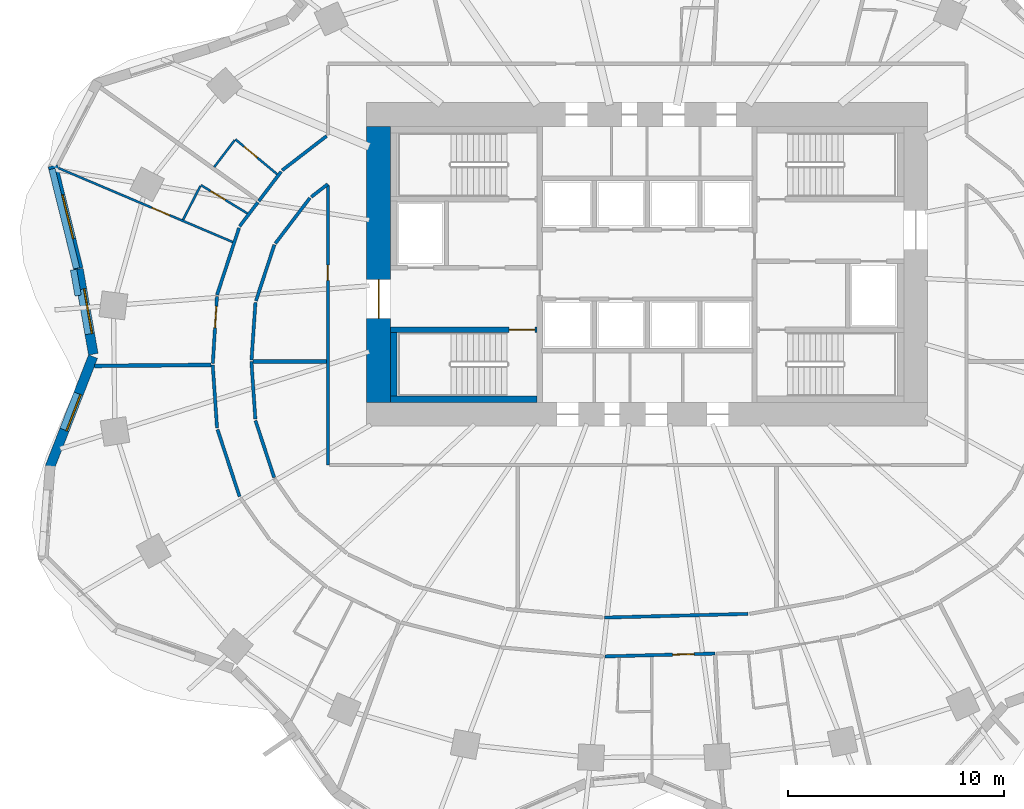
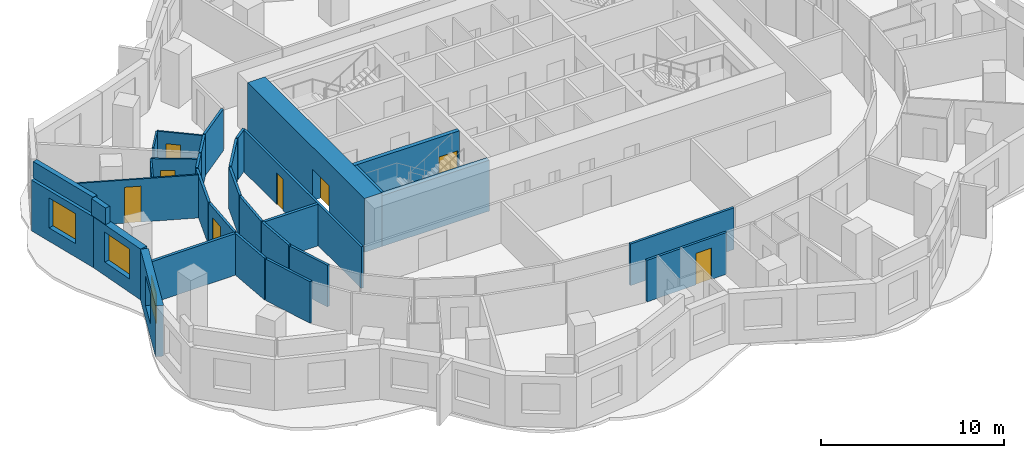
# One storey, part 4 of 10: 32 walls, 8 doors, 3 windows, 11 openings.
"""IFC4 building model written with IfcOpenShell, lengths in metres."""

from ifc_helpers import new_model, si_unit, direction, frame, frame_2d, origin, place, context, subcontext, project, spatial, rectangle, extrude, material, layer, layer_set, type_object, element, fill, save


model = new_model("IFC4")

# Units and contexts
model_context = context("Model", 3, precision=1e-05, world=origin(), true_north=direction((0.0, 1.0)))
body_context = subcontext(model_context, "Body", "Model", "MODEL_VIEW")
ifc_project = project(units=[si_unit("LENGTHUNIT", "METRE"), si_unit("AREAUNIT", "SQUARE_METRE"), si_unit("VOLUMEUNIT", "CUBIC_METRE"), si_unit("PLANEANGLEUNIT", "RADIAN"), si_unit("MASSUNIT", "GRAM", prefix="KILO")], contexts=[model_context])

# Site, building, storey
site_placement = place(None, origin())
site = spatial("IfcSite", under=ifc_project, at=site_placement, CompositionType="ELEMENT")
building_placement = place(site_placement, origin())
building = spatial("IfcBuilding", under=site, at=building_placement, Name="Rubra Terraces Tower", CompositionType="ELEMENT")
storey_placement = place(building_placement, frame((0.0, 0.0, 110.39990234375)))
storey = spatial("IfcBuildingStorey", under=building, at=storey_placement, Name="L26", CompositionType="ELEMENT", Elevation=110.39990234375)

# Walls
ifc_material_1 = material(Name="Twin plasterboard on staggered steel stud, acoustic mineral wool", Category="steel")
ifc_layer_1 = layer(ifc_material_1, 0.175048828125)
ifc_layer_set_1 = layer_set([ifc_layer_1], Name="Twin plasterboard on staggered steel stud, acoustic mineral wool")
wall_type_1 = type_object("IfcWallType", Name="ACOUSTIC PARTY WALL 175", PredefinedType="PARTITIONING", material=ifc_layer_set_1)
wall_1_placement = place(storey_placement, frame((-25.610107421875, -0.206298828125, 0.0), z_axis=(0.0, 0.0, 1.0), x_axis=(0.999964607339, 0.008413326863, 0.0)))
element("IfcWall", 1, at=wall_1_placement, inside=storey, type_object=wall_type_1, Name="PARTITION", PredefinedType="PARTITIONING", context=body_context, shape_type="SweptSolid", body=[
    extrude(rectangle(XDim=5.3974609375, YDim=0.175048828125, at=frame_2d((2.69873046875, 0.0))), origin(), (0.0, 0.0, 1.0), 2.7841796875),
])
wall_2_placement = place(storey_placement, frame((-18.269775390625, 0.0, 0.0), z_axis=(0.0, 0.0, 1.0), x_axis=(1.0, 0.0, 0.0)))
element("IfcWall", 2, at=wall_2_placement, inside=storey, type_object=wall_type_1, Name="PARTITION", PredefinedType="PARTITIONING", context=body_context, shape_type="SweptSolid", body=[
    extrude(rectangle(XDim=3.394775390625, YDim=0.175048828125, at=frame_2d((1.697265625, 0.0))), origin(), (0.0, 0.0, 1.0), 2.7841796875),
])

# Wall, opening, window
ifc_material_2 = material(Name="Brick masonry red-brown", Category="masonry")
ifc_layer_2 = layer(ifc_material_2, 0.449951171875)
ifc_layer_set_2 = layer_set([ifc_layer_2], Name="Brick masonry red-brown")
wall_type_2 = type_object("IfcWallType", Name="Brick facade wall 450", PredefinedType="SOLIDWALL", material=ifc_layer_set_2)
wall_3_placement = place(storey_placement, frame((-27.552001953125, 9.07177734375, 0.0), z_axis=(0.0, 0.0, 1.0), x_axis=(0.240629941406, -0.970616933347, 0.0)))
wall_3 = element("IfcWall", 3, at=wall_3_placement, inside=storey, type_object=wall_type_2, Name="Facade wall L26 bay 19", PredefinedType="SOLIDWALL", context=body_context, shape_type="SweptSolid", body=[
    extrude(rectangle(XDim=4.91455078125, YDim=0.449951171875, at=frame_2d((2.457275390625, 0.0))), origin(), (0.0, 0.0, 1.0), 3.400146484375),
])
opening_1_placement = place(wall_3_placement, frame((1.407470703125, 0.0, 0.89990234375)))
opening_1 = element("IfcOpeningElement", 4, at=opening_1_placement, cuts=wall_3, Name="Opening W1", PredefinedType="OPENING", context=body_context, shape_type="SweptSolid", body=[
    extrude(rectangle(XDim=2.10009765625, YDim=2.0, at=frame_2d((1.050048828125, 1.0))), frame((0.0, 0.23486328125, 0.0), z_axis=(0.0, -1.0, 0.0), x_axis=(1.0, 0.0, 0.0)), (0.0, 0.0, 1.0), 0.469970703125),
])
ifc_material_3 = material(Name="Clear glass in aluminium frame", Category="aluminium")
window_type_1 = type_object("IfcWindowType", Name="Fixed deep-set window 2100 x 2000", PartitioningType="SINGLE_PANEL", PredefinedType="WINDOW", material=ifc_material_3)
window_1_placement = place(opening_1_placement, origin())
window_1 = element("IfcWindow", 5, at=window_1_placement, inside=storey, type_object=window_type_1, Name="Window L26 bay 19", OverallHeight=2.0, OverallWidth=2.10009765625, PartitioningType="SINGLE_PANEL", PredefinedType="WINDOW", context=body_context, shape_type="SweptSolid", body=[
    extrude(rectangle(XDim=2.10009765625, YDim=2.0, at=frame_2d((1.050048828125, 1.0))), frame((0.0, 0.135009765625, 0.0), z_axis=(0.0, -1.0, 0.0), x_axis=(1.0, 0.0, 0.0)), (0.0, 0.0, 1.0), 0.06005859375),
])
fill(opening_1, window_1)

wall_4_placement = place(storey_placement, frame((-26.3662109375, 4.28466796875, 0.0), z_axis=(0.0, 0.0, 1.0), x_axis=(0.172902168926, -0.984939003178, 0.0)))
wall_4 = element("IfcWall", 6, at=wall_4_placement, inside=storey, type_object=wall_type_2, Name="Facade wall L26 bay 20", PredefinedType="SOLIDWALL", context=body_context, shape_type="SweptSolid", body=[
    extrude(rectangle(XDim=4.005859375, YDim=0.449951171875, at=frame_2d((2.0029296875, 0.0))), origin(), (0.0, 0.0, 1.0), 3.400146484375),
])
opening_2_placement = place(wall_4_placement, frame((0.952880859375, 0.0, 0.89990234375)))
opening_2 = element("IfcOpeningElement", 7, at=opening_2_placement, cuts=wall_4, Name="Opening W1", PredefinedType="OPENING", context=body_context, shape_type="SweptSolid", body=[
    extrude(rectangle(XDim=2.10009765625, YDim=2.0, at=frame_2d((1.050048828125, 1.0))), frame((0.0, 0.23486328125, 0.0), z_axis=(0.0, -1.0, 0.0), x_axis=(1.0, 0.0, 0.0)), (0.0, 0.0, 1.0), 0.469970703125),
])
window_2_placement = place(opening_2_placement, origin())
window_2 = element("IfcWindow", 8, at=window_2_placement, inside=storey, type_object=window_type_1, Name="Window L26 bay 20", OverallHeight=2.0, OverallWidth=2.10009765625, PartitioningType="SINGLE_PANEL", PredefinedType="WINDOW", context=body_context, shape_type="SweptSolid", body=[
    extrude(rectangle(XDim=2.10009765625, YDim=2.0, at=frame_2d((1.050048828125, 1.0))), frame((0.0, 0.135009765625, 0.0), z_axis=(0.0, -1.0, 0.0), x_axis=(1.0, 0.0, 0.0)), (0.0, 0.0, 1.0), 0.06005859375),
])
fill(opening_2, window_2)

wall_5_placement = place(storey_placement, frame((-25.68701171875, 0.226318359375, 0.0), z_axis=(0.0, 0.0, 1.0), x_axis=(-0.363500194409, -0.931594122279, 0.0)))
wall_5 = element("IfcWall", 9, at=wall_5_placement, inside=storey, type_object=wall_type_2, Name="Facade wall L26 bay 21", PredefinedType="SOLIDWALL", context=body_context, shape_type="SweptSolid", body=[
    extrude(rectangle(XDim=5.498779296875, YDim=0.449951171875, at=frame_2d((2.74951171875, 0.0))), origin(), (0.0, 0.0, 1.0), 3.400146484375),
])
opening_3_placement = place(wall_5_placement, frame((1.849365234375, 0.0, 0.89990234375)))
opening_3 = element("IfcOpeningElement", 10, at=opening_3_placement, cuts=wall_5, Name="Opening W6", PredefinedType="OPENING", context=body_context, shape_type="SweptSolid", body=[
    extrude(rectangle(XDim=1.800048828125, YDim=2.0, at=frame_2d((0.89990234375, 1.0))), frame((0.0, 0.23486328125, 0.0), z_axis=(0.0, -1.0, 0.0), x_axis=(1.0, 0.0, 0.0)), (0.0, 0.0, 1.0), 0.469970703125),
])
window_type_2 = type_object("IfcWindowType", Name="Fixed deep-set window at wind fin 1800 x 2000", PartitioningType="SINGLE_PANEL", PredefinedType="WINDOW", material=ifc_material_3)
window_3_placement = place(opening_3_placement, origin())
window_3 = element("IfcWindow", 11, at=window_3_placement, inside=storey, type_object=window_type_2, Name="Window L26 bay 21", OverallHeight=2.0, OverallWidth=1.800048828125, PartitioningType="SINGLE_PANEL", PredefinedType="WINDOW", context=body_context, shape_type="SweptSolid", body=[
    extrude(rectangle(XDim=1.800048828125, YDim=2.0, at=frame_2d((0.89990234375, 1.0))), frame((0.0, 0.135009765625, 0.0), z_axis=(0.0, -1.0, 0.0), x_axis=(1.0, 0.0, 0.0)), (0.0, 0.0, 1.0), 0.06005859375),
])
fill(opening_3, window_3)

# Walls
ifc_layer_3 = layer(ifc_material_2, 0.300048828125)
ifc_layer_set_3 = layer_set([ifc_layer_3], Name="Brick masonry red-brown")
wall_type_3 = type_object("IfcWallType", Name="Brick parapet 300", PredefinedType="PARAPET", material=ifc_layer_set_3)
wall_6_placement = place(storey_placement, frame((-27.591796875, 8.9208984375, 3.60009765625), z_axis=(0.0, 0.0, 1.0), x_axis=(0.240669381496, -0.970607154729, 0.0)))
element("IfcWall", 12, at=wall_6_placement, inside=storey, type_object=wall_type_3, Name="Parapet L26 bay 19", PredefinedType="PARAPET", context=body_context, shape_type="SweptSolid", body=[
    extrude(rectangle(XDim=4.741455078125, YDim=0.300048828125, at=frame_2d((2.37060546875, 0.0))), origin(), (0.0, 0.0, 1.0), 1.10009765625),
])
wall_7_placement = place(storey_placement, frame((-26.589111328125, 4.253662109375, 3.60009765625), z_axis=(0.0, 0.0, 1.0), x_axis=(0.172857566704, -0.984946831881, 0.0)))
element("IfcWall", 13, at=wall_7_placement, inside=storey, type_object=wall_type_3, Name="Parapet L26 bay 20", PredefinedType="PARAPET", context=body_context, shape_type="SweptSolid", body=[
    extrude(rectangle(XDim=1.216064453125, YDim=0.300048828125, at=frame_2d((0.60791015625, 0.0))), origin(), (0.0, 0.0, 1.0), 1.10009765625),
])

# Wall, opening, door
ifc_material_4 = material(Name="Concrete C60", Category="concrete")
ifc_layer_4 = layer(ifc_material_4, 1.10009765625)
ifc_layer_set_4 = layer_set([ifc_layer_4], Name="Concrete C60")
wall_type_4 = type_object("IfcWallType", Name="CORE WALL 1100 C60", PredefinedType="SHEAR", material=ifc_layer_set_4)
wall_8_placement = place(storey_placement, frame((-12.449951171875, -1.89990234375, 0.0), z_axis=(0.0, 0.0, 1.0), x_axis=(0.0, 1.0, 0.0)))
wall_8 = element("IfcWall", 14, at=wall_8_placement, inside=storey, type_object=wall_type_4, Name="CORE WALL W L26", PredefinedType="SHEAR", context=body_context, shape_type="SweptSolid", body=[
    extrude(rectangle(XDim=12.7998046875, YDim=1.10009765625, at=frame_2d((6.39990234375, 0.0))), origin(), (0.0, 0.0, 1.0), 3.60009765625),
])
opening_4_placement = place(wall_8_placement, frame((3.89990234375, 0.0, 0.0)))
opening_4 = element("IfcOpeningElement", 15, at=opening_4_placement, cuts=wall_8, Name="Opening L26.C01", PredefinedType="OPENING", context=body_context, shape_type="SweptSolid", body=[
    extrude(rectangle(XDim=1.800048828125, YDim=2.10009765625, at=frame_2d((0.89990234375, 1.050048828125))), frame((0.0, 0.56005859375, 0.0), z_axis=(0.0, -1.0, 0.0), x_axis=(1.0, 0.0, 0.0)), (0.0, 0.0, 1.0), 1.1201171875),
])
ifc_material_5 = material(Name="Painted steel", Category="steel")
door_type_1 = type_object("IfcDoorType", Name="Fire door 1800x2100 double", OperationType="NOTDEFINED", PredefinedType="DOOR", material=ifc_material_5)
door_1_placement = place(opening_4_placement, origin())
door_1 = element("IfcDoor", 16, at=door_1_placement, inside=storey, type_object=door_type_1, Name="Core entrance door FF1", OperationType="DOUBLE_DOOR_SINGLE_SWING", OverallHeight=2.10009765625, OverallWidth=1.800048828125, PredefinedType="DOOR", context=body_context, shape_type="SweptSolid", body=[
    extrude(rectangle(XDim=1.800048828125, YDim=2.10009765625, at=frame_2d((0.89990234375, 1.050048828125))), frame((0.0, 0.02490234375, 0.0), z_axis=(0.0, -1.0, 0.0), x_axis=(1.0, 0.0, 0.0)), (0.0, 0.0, 1.0), 0.050048828125),
])
fill(opening_4, door_1)

# Walls
ifc_material_6 = material(Name="Plasterboard on steel stud, mineral wool infill", Category="steel")
ifc_layer_5 = layer(ifc_material_6, 0.14990234375)
ifc_layer_set_5 = layer_set([ifc_layer_5], Name="Plasterboard on steel stud, mineral wool infill")
wall_type_5 = type_object("IfcWallType", Name="CORRIDOR PARTITION 150", PredefinedType="PARTITIONING", material=ifc_layer_set_5)
wall_9_placement = place(storey_placement, frame((-20.137939453125, -0.160400390625, 0.0), z_axis=(0.0, 0.0, 1.0), x_axis=(0.068281960762, -0.997666063287, 0.0)))
element("IfcWall", 17, at=wall_9_placement, inside=storey, type_object=wall_type_5, Name="PARTITION", PredefinedType="PARTITIONING", context=body_context, shape_type="SweptSolid", body=[
    extrude(rectangle(XDim=2.931884765625, YDim=0.14990234375, at=frame_2d((1.4658203125, 0.0))), origin(), (0.0, 0.0, 1.0), 2.7841796875),
])
wall_10_placement = place(storey_placement, frame((-19.914306640625, -3.15673828125, 0.0), z_axis=(0.0, 0.0, 1.0), x_axis=(0.31208108916, -0.950055468796, 0.0)))
element("IfcWall", 18, at=wall_10_placement, inside=storey, type_object=wall_type_5, Name="PARTITION", PredefinedType="PARTITIONING", context=body_context, shape_type="SweptSolid", body=[
    extrude(rectangle(XDim=3.27001953125, YDim=0.14990234375, at=frame_2d((1.635009765625, 0.0))), origin(), (0.0, 0.0, 1.0), 2.7841796875),
])

# Wall, opening, door
wall_11_placement = place(storey_placement, frame((-1.95703125, -13.672119140625, 0.0), z_axis=(0.0, 0.0, 1.0), x_axis=(0.999663973177, 0.025921819609, 0.0)))
wall_11 = element("IfcWall", 19, at=wall_11_placement, inside=storey, type_object=wall_type_5, Name="PARTITION", PredefinedType="PARTITIONING", context=body_context, shape_type="SweptSolid", body=[
    extrude(rectangle(XDim=5.104736328125, YDim=0.14990234375, at=frame_2d((2.55224609375, 0.0))), origin(), (0.0, 0.0, 1.0), 2.7841796875),
])
opening_5_placement = place(wall_11_placement, frame((3.136962890625, 0.0, 0.0)))
opening_5 = element("IfcOpeningElement", 20, at=opening_5_placement, cuts=wall_11, Name="Opening 26-106", PredefinedType="OPENING", context=body_context, shape_type="SweptSolid", body=[
    extrude(rectangle(XDim=1.0, YDim=2.10009765625, at=frame_2d((0.5, 1.050048828125))), frame((0.0, 0.0849609375, 0.0), z_axis=(0.0, -1.0, 0.0), x_axis=(1.0, 0.0, 0.0)), (0.0, 0.0, 1.0), 0.169921875),
])
ifc_material_7 = material(Name="Painted timber door leaf", Category="wood")
door_type_2 = type_object("IfcDoorType", Name="ROOM DOOR 1000 X 2100", OperationType="SINGLE_SWING_LEFT", PredefinedType="DOOR", material=ifc_material_7)
door_2_placement = place(opening_5_placement, origin())
door_2 = element("IfcDoor", 21, at=door_2_placement, inside=storey, type_object=door_type_2, Name="DOOR 26-106", OperationType="SINGLE_SWING_RIGHT", OverallHeight=2.10009765625, OverallWidth=1.0, PredefinedType="DOOR", context=body_context, shape_type="SweptSolid", body=[
    extrude(rectangle(XDim=1.0, YDim=2.10009765625, at=frame_2d((0.5, 1.050048828125))), frame((0.0, 0.02490234375, 0.0), z_axis=(0.0, -1.0, 0.0), x_axis=(1.0, 0.0, 0.0)), (0.0, 0.0, 1.0), 0.050048828125),
])
fill(opening_5, door_2)

# Walls
wall_12_placement = place(storey_placement, frame((-14.859619140625, 10.451171875, 0.0), z_axis=(0.0, 0.0, 1.0), x_axis=(-0.791542595332, -0.611113999001, 0.0)))
element("IfcWall", 22, at=wall_12_placement, inside=storey, type_object=wall_type_5, Name="PARTITION", PredefinedType="PARTITIONING", context=body_context, shape_type="SweptSolid", body=[
    extrude(rectangle(XDim=2.604736328125, YDim=0.14990234375, at=frame_2d((1.30224609375, 0.0))), origin(), (0.0, 0.0, 1.0), 2.7841796875),
])
wall_13_placement = place(storey_placement, frame((-16.966796875, 8.799560546875, 0.0), z_axis=(0.0, 0.0, 1.0), x_axis=(-0.604942174702, -0.796269404955, 0.0)))
element("IfcWall", 23, at=wall_13_placement, inside=storey, type_object=wall_type_5, Name="PARTITION", PredefinedType="PARTITIONING", context=body_context, shape_type="SweptSolid", body=[
    extrude(rectangle(XDim=1.711181640625, YDim=0.14990234375, at=frame_2d((0.85546875, 0.0))), origin(), (0.0, 0.0, 1.0), 2.7841796875),
])
wall_14_placement = place(storey_placement, frame((-18.04736328125, 7.37744140625, 0.0), z_axis=(0.0, 0.0, 1.0), x_axis=(-0.60498592618, -0.796236164165, 0.0)))
element("IfcWall", 24, at=wall_14_placement, inside=storey, type_object=wall_type_5, Name="PARTITION", PredefinedType="PARTITIONING", context=body_context, shape_type="SweptSolid", body=[
    extrude(rectangle(XDim=1.399169921875, YDim=0.14990234375, at=frame_2d((0.69970703125, 0.0))), origin(), (0.0, 0.0, 1.0), 2.7841796875),
])
wall_15_placement = place(storey_placement, frame((-18.917236328125, 6.192138671875, 0.0), z_axis=(0.0, 0.0, 1.0), x_axis=(-0.31208108916, -0.950055468796, 0.0)))
element("IfcWall", 25, at=wall_15_placement, inside=storey, type_object=wall_type_5, Name="PARTITION", PredefinedType="PARTITIONING", context=body_context, shape_type="SweptSolid", body=[
    extrude(rectangle(XDim=3.27001953125, YDim=0.14990234375, at=frame_2d((1.635009765625, 0.0))), origin(), (0.0, 0.0, 1.0), 2.7841796875),
])

# Wall, opening, door
wall_16_placement = place(storey_placement, frame((-19.9423828125, 3.010498046875, 0.0), z_axis=(0.0, 0.0, 1.0), x_axis=(-0.061550139761, -0.998103992726, 0.0)))
wall_16 = element("IfcWall", 26, at=wall_16_placement, inside=storey, type_object=wall_type_5, Name="PARTITION", PredefinedType="PARTITIONING", context=body_context, shape_type="SweptSolid", body=[
    extrude(rectangle(XDim=3.101806640625, YDim=0.14990234375, at=frame_2d((1.55078125, 0.0))), origin(), (0.0, 0.0, 1.0), 2.7841796875),
])
opening_6_placement = place(wall_16_placement, frame((0.449951171875, 0.0, 0.0)))
opening_6 = element("IfcOpeningElement", 27, at=opening_6_placement, cuts=wall_16, Name="Opening 26-126", PredefinedType="OPENING", context=body_context, shape_type="SweptSolid", body=[
    extrude(rectangle(XDim=1.0, YDim=2.10009765625, at=frame_2d((0.5, 1.050048828125))), frame((0.0, 0.0849609375, 0.0), z_axis=(0.0, -1.0, 0.0), x_axis=(1.0, 0.0, 0.0)), (0.0, 0.0, 1.0), 0.169921875),
])
door_3_placement = place(opening_6_placement, origin())
door_3 = element("IfcDoor", 28, at=door_3_placement, inside=storey, type_object=door_type_2, Name="DOOR 26-126", OperationType="SINGLE_SWING_RIGHT", OverallHeight=2.10009765625, OverallWidth=1.0, PredefinedType="DOOR", context=body_context, shape_type="SweptSolid", body=[
    extrude(rectangle(XDim=1.0, YDim=2.10009765625, at=frame_2d((0.5, 1.050048828125))), frame((0.0, 0.02490234375, 0.0), z_axis=(0.0, -1.0, 0.0), x_axis=(1.0, 0.0, 0.0)), (0.0, 0.0, 1.0), 0.050048828125),
])
fill(opening_6, door_3)

# Walls
wall_17_placement = place(storey_placement, frame((4.684326171875, -11.69921875, 0.0), z_axis=(0.0, 0.0, 1.0), x_axis=(-0.999663438204, -0.025942442425, 0.0)))
element("IfcWall", 29, at=wall_17_placement, inside=storey, type_object=wall_type_5, Name="PARTITION", PredefinedType="PARTITIONING", context=body_context, shape_type="SweptSolid", body=[
    extrude(rectangle(XDim=6.662841796875, YDim=0.14990234375, at=frame_2d((3.33154296875, 0.0))), origin(), (0.0, 0.0, 1.0), 2.7841796875),
])
wall_18_placement = place(storey_placement, frame((-17.289794921875, -5.379150390625, 0.0), z_axis=(0.0, 0.0, 1.0), x_axis=(-0.312009486843, 0.950078986253, 0.0)))
element("IfcWall", 30, at=wall_18_placement, inside=storey, type_object=wall_type_5, Name="PARTITION", PredefinedType="PARTITIONING", context=body_context, shape_type="SweptSolid", body=[
    extrude(rectangle(XDim=2.780029296875, YDim=0.14990234375, at=frame_2d((1.39013671875, 0.0))), origin(), (0.0, 0.0, 1.0), 2.7841796875),
])
for number, where, z_axis, x_axis, name in (
    (31, (-18.162353515625, -2.6630859375, 0.0), (0.0, 0.0, 1.0), (-0.068321828968, 0.997663333839, 0.0), "PARTITION"),
    (32, (-18.339599609375, 0.07470703125, 0.0), (0.0, 0.0, 1.0), (0.068321828968, 0.997663333839, 0.0), "PARTITION"),
):
    element("IfcWall", number, at=place(storey_placement, frame(where, z_axis=z_axis, x_axis=x_axis)), inside=storey, type_object=wall_type_5, Name=name, PredefinedType="PARTITIONING", context=body_context, shape_type="SweptSolid", body=[
        extrude(rectangle(XDim=2.66943359375, YDim=0.14990234375, at=frame_2d((1.334716796875, 0.0))), origin(), (0.0, 0.0, 1.0), 2.7841796875),
    ])
wall_19_placement = place(storey_placement, frame((-18.1337890625, 2.80908203125, 0.0), z_axis=(0.0, 0.0, 1.0), x_axis=(0.312005223814, 0.950080386237, 0.0)))
element("IfcWall", 33, at=wall_19_placement, inside=storey, type_object=wall_type_5, Name="PARTITION", PredefinedType="PARTITIONING", context=body_context, shape_type="SweptSolid", body=[
    extrude(rectangle(XDim=2.74267578125, YDim=0.14990234375, at=frame_2d((1.371337890625, 0.0))), origin(), (0.0, 0.0, 1.0), 2.7841796875),
])
wall_20_placement = place(storey_placement, frame((-17.232666015625, 5.474609375, 0.0), z_axis=(0.0, 0.0, 1.0), x_axis=(0.605024750549, 0.796206663639, 0.0)))
element("IfcWall", 34, at=wall_20_placement, inside=storey, type_object=wall_type_5, Name="PARTITION", PredefinedType="PARTITIONING", context=body_context, shape_type="SweptSolid", body=[
    extrude(rectangle(XDim=2.644775390625, YDim=0.14990234375, at=frame_2d((1.322265625, 0.0))), origin(), (0.0, 0.0, 1.0), 2.7841796875),
])
wall_21_placement = place(storey_placement, frame((-15.572998046875, 7.626220703125, 0.0), z_axis=(0.0, 0.0, 1.0), x_axis=(0.791581834002, 0.611063171921, 0.0)))
element("IfcWall", 35, at=wall_21_placement, inside=storey, type_object=wall_type_5, Name="PARTITION", PredefinedType="PARTITIONING", context=body_context, shape_type="SweptSolid", body=[
    extrude(rectangle(XDim=0.9765625, YDim=0.14990234375, at=frame_2d((0.48828125, 0.0))), origin(), (0.0, 0.0, 1.0), 2.7841796875),
])

# Wall, opening, door
wall_22_placement = place(storey_placement, frame((-14.800048828125, 8.14794921875, 0.0), z_axis=(0.0, 0.0, 1.0), x_axis=(0.0, -1.0, 0.0)))
wall_22 = element("IfcWall", 36, at=wall_22_placement, inside=storey, type_object=wall_type_5, Name="PARTITION", PredefinedType="PARTITIONING", context=body_context, shape_type="SweptSolid", body=[
    extrude(rectangle(XDim=12.947998046875, YDim=0.14990234375, at=frame_2d((6.47412109375, 0.0))), origin(), (0.0, 0.0, 1.0), 2.7841796875),
])
opening_7_placement = place(wall_22_placement, frame((3.68603515625, 0.0, 0.0)))
opening_7 = element("IfcOpeningElement", 37, at=opening_7_placement, cuts=wall_22, Name="Opening 26-127", PredefinedType="OPENING", context=body_context, shape_type="SweptSolid", body=[
    extrude(rectangle(XDim=0.699951171875, YDim=2.10009765625, at=frame_2d((0.35009765625, 1.050048828125))), frame((0.0, 0.0849609375, 0.0), z_axis=(0.0, -1.0, 0.0), x_axis=(1.0, 0.0, 0.0)), (0.0, 0.0, 1.0), 0.169921875),
])
door_type_3 = type_object("IfcDoorType", Name="STORE DOOR 700 X 2100", OperationType="SINGLE_SWING_LEFT", PredefinedType="DOOR", material=ifc_material_7)
door_4_placement = place(opening_7_placement, origin())
door_4 = element("IfcDoor", 38, at=door_4_placement, inside=storey, type_object=door_type_3, Name="DOOR 26-127", OperationType="SINGLE_SWING_RIGHT", OverallHeight=2.10009765625, OverallWidth=0.699951171875, PredefinedType="DOOR", context=body_context, shape_type="SweptSolid", body=[
    extrude(rectangle(XDim=0.699951171875, YDim=2.10009765625, at=frame_2d((0.35009765625, 1.050048828125))), frame((0.0, 0.02490234375, 0.0), z_axis=(0.0, -1.0, 0.0), x_axis=(1.0, 0.0, 0.0)), (0.0, 0.0, 1.0), 0.050048828125),
])
fill(opening_7, door_4)

# Walls
ifc_material_8 = material(Name="Concrete C40", Category="concrete")
ifc_layer_6 = layer(ifc_material_8, 0.300048828125)
ifc_layer_set_6 = layer_set([ifc_layer_6], Name="Concrete C40")
wall_type_6 = type_object("IfcWallType", Name="Core lining wall 300 concrete", PredefinedType="SOLIDWALL", material=ifc_layer_set_6)
wall_23_placement = place(storey_placement, frame((-11.89990234375, -1.75, 0.0), z_axis=(0.0, 0.0, 1.0), x_axis=(1.0, 0.0, 0.0)))
element("IfcWall", 39, at=wall_23_placement, inside=storey, type_object=wall_type_6, Name="CORE LINING WALL L26", PredefinedType="SOLIDWALL", context=body_context, shape_type="SweptSolid", body=[
    extrude(rectangle(XDim=6.7998046875, YDim=0.300048828125, at=frame_2d((3.39990234375, 0.0))), origin(), (0.0, 0.0, 1.0), 3.400146484375),
])
wall_24_placement = place(storey_placement, frame((-11.75, -1.60009765625, 0.0), z_axis=(0.0, 0.0, 1.0), x_axis=(0.0, 1.0, 0.0)))
element("IfcWall", 40, at=wall_24_placement, inside=storey, type_object=wall_type_6, Name="CORE LINING WALL L26", PredefinedType="SOLIDWALL", context=body_context, shape_type="SweptSolid", body=[
    extrude(rectangle(XDim=2.9501953125, YDim=0.300048828125, at=frame_2d((1.47509765625, 0.0))), origin(), (0.0, 0.0, 1.0), 3.400146484375),
])

# Wall, opening, door
ifc_material_9 = material(Name="Plasterboard on steel stud", Category="steel")
ifc_layer_7 = layer(ifc_material_9, 0.10009765625)
ifc_layer_set_7 = layer_set([ifc_layer_7], Name="Plasterboard on steel stud")
wall_type_7 = type_object("IfcWallType", Name="ROOM PARTITION 100", PredefinedType="PARTITIONING", material=ifc_layer_set_7)
wall_25_placement = place(storey_placement, frame((-17.152099609375, 8.679443359375, 0.0), z_axis=(0.0, 0.0, 1.0), x_axis=(-0.766896011947, 0.641771382082, 0.0)))
wall_25 = element("IfcWall", 41, at=wall_25_placement, inside=storey, type_object=wall_type_7, Name="PARTITION", PredefinedType="PARTITIONING", context=body_context, shape_type="SweptSolid", body=[
    extrude(rectangle(XDim=2.52490234375, YDim=0.10009765625, at=frame_2d((1.262451171875, 0.0))), origin(), (0.0, 0.0, 1.0), 2.884033203125),
])
opening_8_placement = place(wall_25_placement, frame((1.199951171875, 0.0, 0.0)))
opening_8 = element("IfcOpeningElement", 42, at=opening_8_placement, cuts=wall_25, Name="Opening 26-122", PredefinedType="OPENING", context=body_context, shape_type="SweptSolid", body=[
    extrude(rectangle(XDim=0.800048828125, YDim=2.10009765625, at=frame_2d((0.39990234375, 1.050048828125))), frame((0.0, 0.06005859375, 0.0), z_axis=(0.0, -1.0, 0.0), x_axis=(1.0, 0.0, 0.0)), (0.0, 0.0, 1.0), 0.1201171875),
])
door_type_4 = type_object("IfcDoorType", Name="BATHROOM DOOR 800 X 2100", OperationType="SINGLE_SWING_LEFT", PredefinedType="DOOR", material=ifc_material_7)
door_5_placement = place(opening_8_placement, origin())
door_5 = element("IfcDoor", 43, at=door_5_placement, inside=storey, type_object=door_type_4, Name="DOOR 26-122", OperationType="SINGLE_SWING_LEFT", OverallHeight=2.10009765625, OverallWidth=0.800048828125, PredefinedType="DOOR", context=body_context, shape_type="SweptSolid", body=[
    extrude(rectangle(XDim=0.800048828125, YDim=2.10009765625, at=frame_2d((0.39990234375, 1.050048828125))), frame((0.0, 0.02490234375, 0.0), z_axis=(0.0, -1.0, 0.0), x_axis=(1.0, 0.0, 0.0)), (0.0, 0.0, 1.0), 0.050048828125),
])
fill(opening_8, door_5)

# Wall
wall_26_placement = place(storey_placement, frame((-19.118896484375, 10.260009765625, 0.0), z_axis=(0.0, 0.0, 1.0), x_axis=(-0.60585578669, -0.795574487861, 0.0)))
element("IfcWall", 44, at=wall_26_placement, inside=storey, type_object=wall_type_7, Name="PARTITION", PredefinedType="PARTITIONING", context=body_context, shape_type="SweptSolid", body=[
    extrude(rectangle(XDim=1.570068359375, YDim=0.10009765625, at=frame_2d((0.78515625, 0.0))), origin(), (0.0, 0.0, 1.0), 2.884033203125),
])

# Wall, opening, door
wall_27_placement = place(storey_placement, frame((-27.289794921875, 8.965087890625, 0.0), z_axis=(0.0, 0.0, 1.0), x_axis=(0.920567839174, -0.390582710163, 0.0)))
wall_27 = element("IfcWall", 45, at=wall_27_placement, inside=storey, type_object=wall_type_7, Name="PARTITION", PredefinedType="PARTITIONING", context=body_context, shape_type="SweptSolid", body=[
    extrude(rectangle(XDim=8.77587890625, YDim=0.10009765625, at=frame_2d((4.387939453125, 0.0))), origin(), (0.0, 0.0, 1.0), 2.884033203125),
])
opening_9_placement = place(wall_27_placement, frame((4.700927734375, 0.0, 0.0)))
opening_9 = element("IfcOpeningElement", 46, at=opening_9_placement, cuts=wall_27, Name="Opening 26-125", PredefinedType="OPENING", context=body_context, shape_type="SweptSolid", body=[
    extrude(rectangle(XDim=0.89990234375, YDim=2.39990234375, at=frame_2d((0.449951171875, 1.199951171875))), frame((0.0, 0.06005859375, 0.0), z_axis=(0.0, -1.0, 0.0), x_axis=(1.0, 0.0, 0.0)), (0.0, 0.0, 1.0), 0.1201171875),
])
ifc_material_10 = material(Name="Veneered timber door leaf, fire-rated", Category="wood")
door_type_5 = type_object("IfcDoorType", Name="SUITE ENTRANCE DOOR 900 X 2400", OperationType="SINGLE_SWING_LEFT", PredefinedType="DOOR", material=ifc_material_10)
door_6_placement = place(opening_9_placement, origin())
door_6 = element("IfcDoor", 47, at=door_6_placement, inside=storey, type_object=door_type_5, Name="DOOR 26-125", OperationType="SINGLE_SWING_LEFT", OverallHeight=2.39990234375, OverallWidth=0.89990234375, PredefinedType="DOOR", context=body_context, shape_type="SweptSolid", body=[
    extrude(rectangle(XDim=0.89990234375, YDim=2.39990234375, at=frame_2d((0.449951171875, 1.199951171875))), frame((0.0, 0.02490234375, 0.0), z_axis=(0.0, -1.0, 0.0), x_axis=(1.0, 0.0, 0.0)), (0.0, 0.0, 1.0), 0.050048828125),
])
fill(opening_9, door_6)

wall_28_placement = place(storey_placement, frame((-18.531494140625, 6.863525390625, 0.0), z_axis=(0.0, 0.0, 1.0), x_axis=(-0.854009932265, 0.520256701632, 0.0)))
wall_28 = element("IfcWall", 48, at=wall_28_placement, inside=storey, type_object=wall_type_7, Name="PARTITION", PredefinedType="PARTITIONING", context=body_context, shape_type="SweptSolid", body=[
    extrude(rectangle(XDim=2.525146484375, YDim=0.10009765625, at=frame_2d((1.2626953125, 0.0))), origin(), (0.0, 0.0, 1.0), 2.884033203125),
])
opening_10_placement = place(wall_28_placement, frame((1.199951171875, 0.0, 0.0)))
opening_10 = element("IfcOpeningElement", 49, at=opening_10_placement, cuts=wall_28, Name="Opening 26-124", PredefinedType="OPENING", context=body_context, shape_type="SweptSolid", body=[
    extrude(rectangle(XDim=0.800048828125, YDim=2.10009765625, at=frame_2d((0.39990234375, 1.050048828125))), frame((0.0, 0.06005859375, 0.0), z_axis=(0.0, -1.0, 0.0), x_axis=(1.0, 0.0, 0.0)), (0.0, 0.0, 1.0), 0.1201171875),
])
door_7_placement = place(opening_10_placement, origin())
door_7 = element("IfcDoor", 50, at=door_7_placement, inside=storey, type_object=door_type_4, Name="DOOR 26-124", OperationType="SINGLE_SWING_LEFT", OverallHeight=2.10009765625, OverallWidth=0.800048828125, PredefinedType="DOOR", context=body_context, shape_type="SweptSolid", body=[
    extrude(rectangle(XDim=0.800048828125, YDim=2.10009765625, at=frame_2d((0.39990234375, 1.050048828125))), frame((0.0, 0.02490234375, 0.0), z_axis=(0.0, -1.0, 0.0), x_axis=(1.0, 0.0, 0.0)), (0.0, 0.0, 1.0), 0.050048828125),
])
fill(opening_10, door_7)

# Wall
wall_29_placement = place(storey_placement, frame((-20.710693359375, 8.1328125, 0.0), z_axis=(0.0, 0.0, 1.0), x_axis=(-0.456133403482, -0.889911410325, 0.0)))
element("IfcWall", 51, at=wall_29_placement, inside=storey, type_object=wall_type_7, Name="PARTITION", PredefinedType="PARTITIONING", context=body_context, shape_type="SweptSolid", body=[
    extrude(rectangle(XDim=1.75830078125, YDim=0.10009765625, at=frame_2d((0.879150390625, 0.0))), origin(), (0.0, 0.0, 1.0), 2.884033203125),
])

# Wall, opening, door
ifc_layer_8 = layer(ifc_material_8, 0.25)
ifc_layer_set_8 = layer_set([ifc_layer_8], Name="Concrete C40")
wall_type_8 = type_object("IfcWallType", Name="Stair enclosure wall 250 concrete", PredefinedType="SOLIDWALL", material=ifc_layer_set_8)
wall_30_placement = place(storey_placement, frame((-11.89990234375, 1.47509765625, 0.0), z_axis=(0.0, 0.0, 1.0), x_axis=(1.0, 0.0, 0.0)))
wall_30 = element("IfcWall", 52, at=wall_30_placement, inside=storey, type_object=wall_type_8, Name="STAIR WALL L26", PredefinedType="SOLIDWALL", context=body_context, shape_type="SweptSolid", body=[
    extrude(rectangle(XDim=6.7998046875, YDim=0.25, at=frame_2d((3.39990234375, 0.0))), origin(), (0.0, 0.0, 1.0), 3.400146484375),
])
opening_11_placement = place(wall_30_placement, frame((5.5, 0.0, 0.0)))
opening_11 = element("IfcOpeningElement", 53, at=opening_11_placement, cuts=wall_30, Name="Opening L26.C07", PredefinedType="OPENING", context=body_context, shape_type="SweptSolid", body=[
    extrude(rectangle(XDim=1.199951171875, YDim=2.10009765625, at=frame_2d((0.60009765625, 1.050048828125))), frame((0.0, 0.135009765625, 0.0), z_axis=(0.0, -1.0, 0.0), x_axis=(1.0, 0.0, 0.0)), (0.0, 0.0, 1.0), 0.27001953125),
])
door_type_6 = type_object("IfcDoorType", Name="Fire door 1200x2100 single", OperationType="NOTDEFINED", PredefinedType="DOOR", material=ifc_material_5)
door_8_placement = place(opening_11_placement, origin())
door_8 = element("IfcDoor", 54, at=door_8_placement, inside=storey, type_object=door_type_6, Name="Stair door S1", OperationType="SINGLE_SWING_LEFT", OverallHeight=2.10009765625, OverallWidth=1.199951171875, PredefinedType="DOOR", context=body_context, shape_type="SweptSolid", body=[
    extrude(rectangle(XDim=1.199951171875, YDim=2.10009765625, at=frame_2d((0.60009765625, 1.050048828125))), frame((0.0, 0.02490234375, 0.0), z_axis=(0.0, -1.0, 0.0), x_axis=(1.0, 0.0, 0.0)), (0.0, 0.0, 1.0), 0.050048828125),
])
fill(opening_11, door_8)

save(model, "model.ifc")
